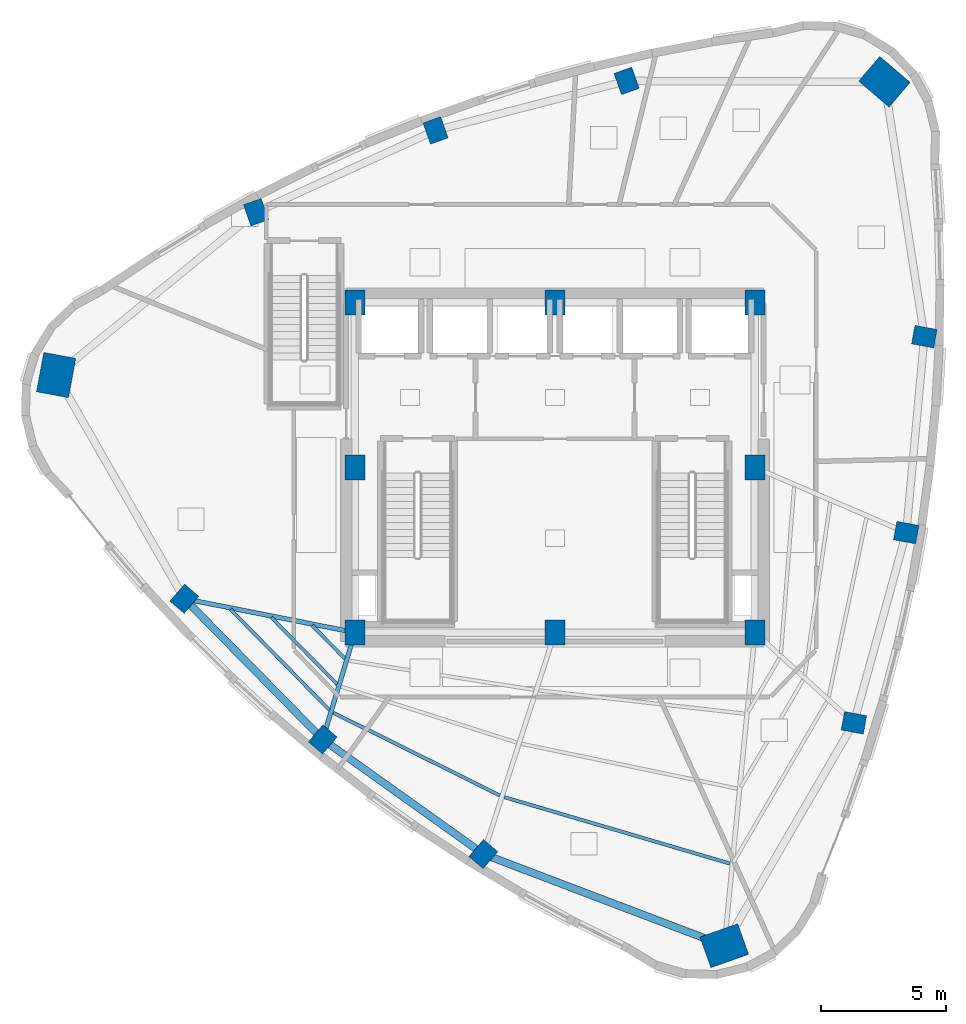
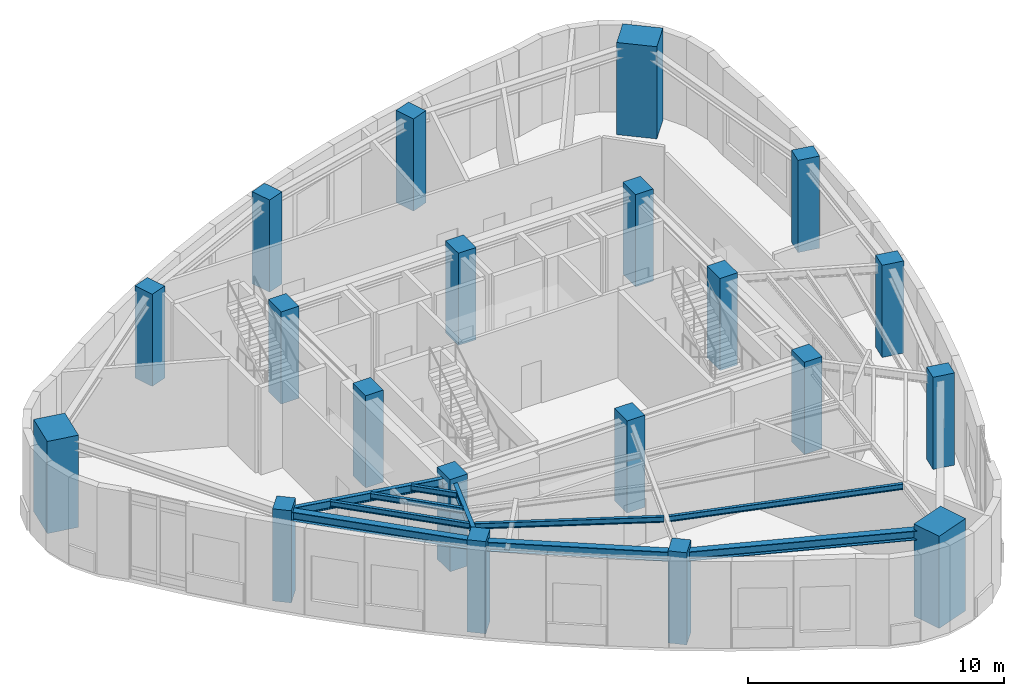
# One storey, part 1 of 13: 20 columns, 10 beams.
"""IFC4 building model written with IfcOpenShell, lengths in metres."""

from ifc_helpers import new_model, si_unit, direction, frame, origin, origin_2d, place, context, subcontext, project, spatial, rectangle, i_section, extrude, material, material_profile, profile_set, type_object, element, save


model = new_model("IFC4")

# Units and contexts
model_context = context("Model", 3, precision=1e-05, world=origin(), true_north=direction((0.0, 1.0)))
body_context = subcontext(model_context, "Body", "Model", "MODEL_VIEW")
ifc_project = project(units=[si_unit("LENGTHUNIT", "METRE"), si_unit("AREAUNIT", "SQUARE_METRE"), si_unit("VOLUMEUNIT", "CUBIC_METRE"), si_unit("PLANEANGLEUNIT", "RADIAN"), si_unit("MASSUNIT", "GRAM", prefix="KILO")], contexts=[model_context])

# Site, building, storey
site_placement = place(None, origin())
site = spatial("IfcSite", under=ifc_project, at=site_placement, CompositionType="ELEMENT")
building_placement = place(site_placement, origin())
building = spatial("IfcBuilding", under=site, at=building_placement, Name="Ndelora Gate Hotel", CompositionType="ELEMENT")
storey_placement = place(building_placement, frame((0.0, 0.0, 272.800048828125)))
storey = spatial("IfcBuildingStorey", under=building, at=storey_placement, Name="L68", CompositionType="ELEMENT", Elevation=272.800048828125)

# Columns
ifc_material_1 = material(Name="Concrete C50/60", Category="concrete")
ifc_material_profile_1 = material_profile(ifc_material_1, rectangle(XDim=0.800048828125, YDim=1.0, at=origin_2d()), Name="RC 1000x800")
ifc_profile_set_1 = profile_set([ifc_material_profile_1], Name="Concrete C50/60")
column_type_1 = type_object("IfcColumnType", Name="COL-CC-HI", PredefinedType="COLUMN", material=ifc_profile_set_1)
for number, where, z_axis, x_axis, name in (
    (1, (-8.0, -6.60009765625, 0.0), (0.0, 0.0, 1.0), (1.0, 0.0, 0.0), "L68 Core Column CC1"),
    (2, (0.0, -6.60009765625, 0.0), (0.0, 0.0, 1.0), (1.0, 0.0, 0.0), "L68 Core Column CC2"),
    (3, (8.0, -6.60009765625, 0.0), (0.0, 0.0, 1.0), (1.0, 0.0, 0.0), "L68 Core Column CC3"),
    (4, (8.0, 0.0, 0.0), (0.0, 0.0, 1.0), (1.0, 0.0, 0.0), "L68 Core Column CC4"),
    (5, (8.0, 6.60009765625, 0.0), (0.0, 0.0, 1.0), (1.0, 0.0, 0.0), "L68 Core Column CC5"),
    (6, (0.0, 6.60009765625, 0.0), (0.0, 0.0, 1.0), (1.0, 0.0, 0.0), "L68 Core Column CC6"),
    (7, (-8.0, 6.60009765625, 0.0), (0.0, 0.0, 1.0), (1.0, 0.0, 0.0), "L68 Core Column CC7"),
    (8, (-8.0, 0.0, 0.0), (0.0, 0.0, 1.0), (1.0, 0.0, 0.0), "L68 Core Column CC8"),
):
    element("IfcColumn", number, at=place(storey_placement, frame(where, z_axis=z_axis, x_axis=x_axis)), inside=storey, type_object=column_type_1, Name=name, PredefinedType="COLUMN", context=body_context, shape_type="SweptSolid", body=[
        extrude(rectangle(XDim=0.800048828125, YDim=1.0, at=origin_2d()), origin(), (0.0, 0.0, 1.0), 4.39990234375),
    ])
ifc_material_profile_2 = material_profile(ifc_material_1, rectangle(XDim=1.300048828125, YDim=1.60009765625, at=origin_2d()), Name="RC 1600x1300")
ifc_profile_set_2 = profile_set([ifc_material_profile_2], Name="Concrete C50/60")
column_type_2 = type_object("IfcColumnType", Name="COL-MC-Z4", PredefinedType="COLUMN", material=ifc_profile_set_2)
for number, where, z_axis, x_axis, name in (
    (9, (-19.949951171875, 3.697509765625, 0.0), (0.0, 0.0, 1.0), (-0.983254907564, 0.182235525492, 0.0), "L68 Corner Mega-Column R1"),
    (10, (6.772705078125, -19.1259765625, 0.0), (0.0, 0.0, 1.0), (-0.333806859234, 0.942641491092, 0.0), "L68 Corner Mega-Column R5"),
    (11, (13.177001953125, 15.428466796875, 0.0), (0.0, 0.0, 1.0), (0.64944804833, 0.7604059656, 0.0), "L68 Corner Mega-Column R9"),
):
    element("IfcColumn", number, at=place(storey_placement, frame(where, z_axis=z_axis, x_axis=x_axis)), inside=storey, type_object=column_type_2, Name=name, PredefinedType="COLUMN", context=body_context, shape_type="SweptSolid", body=[
        extrude(rectangle(XDim=1.300048828125, YDim=1.60009765625, at=origin_2d()), origin(), (0.0, 0.0, 1.0), 4.39990234375),
    ])
ifc_material_profile_3 = material_profile(ifc_material_1, rectangle(XDim=0.75, YDim=0.89990234375, at=origin_2d()), Name="RC 900x750")
ifc_profile_set_3 = profile_set([ifc_material_profile_3], Name="Concrete C50/60")
column_type_3 = type_object("IfcColumnType", Name="COL-PT-Z4", PredefinedType="COLUMN", material=ifc_profile_set_3)
for number, where, z_axis, x_axis, name in (
    (12, (-14.822509765625, -5.248779296875, 0.0), (0.0, 0.0, 1.0), (-0.7604059656, 0.64944804833, 0.0), "L68 Perimeter Tube Column R2"),
    (13, (-9.2890625, -10.876220703125, 0.0), (0.0, 0.0, 1.0), (-0.7604059656, 0.64944804833, 0.0), "L68 Perimeter Tube Column R3"),
    (14, (-2.865478515625, -15.461181640625, 0.0), (0.0, 0.0, 1.0), (-0.7604059656, 0.64944804833, 0.0), "L68 Perimeter Tube Column R4"),
    (15, (11.956787109375, -10.212158203125, 0.0), (0.0, 0.0, 1.0), (0.182235525492, 0.983254907564, 0.0), "L68 Perimeter Tube Column R6"),
    (16, (14.0498046875, -2.60400390625, 0.0), (0.0, 0.0, 1.0), (0.182235525492, 0.983254907564, 0.0), "L68 Perimeter Tube Column R7"),
    (17, (14.77490234375, 5.232177734375, 0.0), (0.0, 0.0, 1.0), (0.182235525492, 0.983254907564, 0.0), "L68 Perimeter Tube Column R8"),
    (18, (2.865478515625, 15.461181640625, 0.0), (0.0, 0.0, 1.0), (0.942641491092, 0.333806859234, 0.0), "L68 Perimeter Tube Column R10"),
    (19, (-4.7744140625, 13.482666015625, 0.0), (0.0, 0.0, 1.0), (0.942641491092, 0.333806859234, 0.0), "L68 Perimeter Tube Column R11"),
    (20, (-11.956787109375, 10.212158203125, 0.0), (0.0, 0.0, 1.0), (0.942641491092, 0.333806859234, 0.0), "L68 Perimeter Tube Column R12"),
):
    element("IfcColumn", number, at=place(storey_placement, frame(where, z_axis=z_axis, x_axis=x_axis)), inside=storey, type_object=column_type_3, Name=name, PredefinedType="COLUMN", context=body_context, shape_type="SweptSolid", body=[
        extrude(rectangle(XDim=0.75, YDim=0.89990234375, at=origin_2d()), origin(), (0.0, 0.0, 1.0), 4.39990234375),
    ])

# Beams
ifc_material_2 = material(Name="Steel S355", Category="steel")
ifc_material_profile_4 = material_profile(ifc_material_2, i_section(OverallWidth=0.135009765625, OverallDepth=0.27001953125, WebThickness=0.006591796875, FlangeThickness=0.01025390625, FilletRadius=0.014892578125, at=origin_2d()), Name="IPE 270")
ifc_profile_set_4 = profile_set([ifc_material_profile_4], Name="Steel S355")
beam_type_1 = type_object("IfcBeamType", Name="BM-JST-270", PredefinedType="JOIST", material=ifc_profile_set_4)
beam_1_placement = place(storey_placement, frame((-9.70361328125, -6.320068359375, 4.014892578125), z_axis=(0.701148889104, -0.713014891365, 0.0), x_axis=(0.713014891365, 0.701148889104, 0.0)))
element("IfcBeam", 21, at=beam_1_placement, inside=storey, type_object=beam_type_1, Name="L68 Secondary Composite Floor Joist IN-2", PredefinedType="JOIST", context=body_context, shape_type="SweptSolid", body=[
    extrude(i_section(OverallWidth=0.135009765625, OverallDepth=0.27001953125, WebThickness=0.006591796875, FlangeThickness=0.01025390625, FilletRadius=0.014892578125, at=origin_2d()), origin(), (0.0, 0.0, 1.0), 1.851806640625),
])
beam_2_placement = place(storey_placement, frame((-11.341064453125, -5.995849609375, 4.014892578125), z_axis=(0.701150996754, -0.713012818785, 0.0), x_axis=(0.713012818785, 0.701150996754, 0.0)))
element("IfcBeam", 22, at=beam_2_placement, inside=storey, type_object=beam_type_1, Name="L68 Secondary Composite Floor Joist MID-2", PredefinedType="JOIST", context=body_context, shape_type="SweptSolid", body=[
    extrude(i_section(OverallWidth=0.135009765625, OverallDepth=0.27001953125, WebThickness=0.006591796875, FlangeThickness=0.01025390625, FilletRadius=0.014892578125, at=origin_2d()), origin(), (0.0, 0.0, 1.0), 3.745849609375),
])
beam_3_placement = place(storey_placement, frame((-12.978515625, -5.67138671875, 4.014892578125), z_axis=(0.701130048955, -0.713033417486, 0.0), x_axis=(0.713033417486, 0.701130048955, 0.0)))
element("IfcBeam", 23, at=beam_3_placement, inside=storey, type_object=beam_type_1, Name="L68 Secondary Composite Floor Joist OUT-2", PredefinedType="JOIST", context=body_context, shape_type="SweptSolid", body=[
    extrude(i_section(OverallWidth=0.135009765625, OverallDepth=0.27001953125, WebThickness=0.006591796875, FlangeThickness=0.01025390625, FilletRadius=0.014892578125, at=origin_2d()), origin(), (0.0, 0.0, 1.0), 5.640380859375),
])
beam_4_placement = place(storey_placement, frame((-8.864501953125, -9.808837890625, 4.014892578125), z_axis=(0.895678939113, -0.444701290788, 0.0), x_axis=(0.444701290788, 0.895678939113, 0.0)))
element("IfcBeam", 24, at=beam_4_placement, inside=storey, type_object=beam_type_1, Name="L68 Secondary Composite Floor Joist OUT-3", PredefinedType="JOIST", context=body_context, shape_type="SweptSolid", body=[
    extrude(i_section(OverallWidth=0.135009765625, OverallDepth=0.27001953125, WebThickness=0.006591796875, FlangeThickness=0.01025390625, FilletRadius=0.014892578125, at=origin_2d()), origin(), (0.0, 0.0, 1.0), 7.4296875),
])
beam_5_placement = place(storey_placement, frame((-2.0244140625, -13.185546875, 4.014892578125), z_axis=(0.959300565601, -0.282387012517, 0.0), x_axis=(0.282387012517, 0.959300565601, 0.0)))
element("IfcBeam", 25, at=beam_5_placement, inside=storey, type_object=beam_type_1, Name="L68 Secondary Composite Floor Joist OUT-4", PredefinedType="JOIST", context=body_context, shape_type="SweptSolid", body=[
    extrude(i_section(OverallWidth=0.135009765625, OverallDepth=0.27001953125, WebThickness=0.006591796875, FlangeThickness=0.01025390625, FilletRadius=0.014892578125, at=origin_2d()), origin(), (0.0, 0.0, 1.0), 9.403076171875),
])
ifc_material_profile_5 = material_profile(ifc_material_2, i_section(OverallWidth=0.179931640625, OverallDepth=0.39990234375, WebThickness=0.008544921875, FlangeThickness=0.013427734375, FilletRadius=0.02099609375, at=origin_2d()), Name="IPE 400")
ifc_profile_set_5 = profile_set([ifc_material_profile_5], Name="Steel S355")
beam_type_2 = type_object("IfcBeamType", Name="BM-RAD-400", PredefinedType="BEAM", material=ifc_profile_set_5)
beam_6_placement = place(storey_placement, frame((-8.0, -6.60009765625, 3.949951171875), z_axis=(-0.980943509294, 0.194293158846, 0.0), x_axis=(-0.194293158846, -0.980943509294, 0.0)))
element("IfcBeam", 26, at=beam_6_placement, inside=storey, type_object=beam_type_2, Name="L68 Radial Floor Girder 2", PredefinedType="BEAM", context=body_context, shape_type="SweptSolid", body=[
    extrude(i_section(OverallWidth=0.179931640625, OverallDepth=0.39990234375, WebThickness=0.008544921875, FlangeThickness=0.013427734375, FilletRadius=0.02099609375, at=origin_2d()), origin(), (0.0, 0.0, 1.0), 6.955078125),
])
beam_7_placement = place(storey_placement, frame((-8.0, -6.60009765625, 3.949951171875), z_axis=(-0.288626468578, -0.957441779763, 0.0), x_axis=(0.957441779763, -0.288626468578, 0.0)))
element("IfcBeam", 27, at=beam_7_placement, inside=storey, type_object=beam_type_2, Name="L68 Radial Floor Girder 3", PredefinedType="BEAM", context=body_context, shape_type="SweptSolid", body=[
    extrude(i_section(OverallWidth=0.179931640625, OverallDepth=0.39990234375, WebThickness=0.008544921875, FlangeThickness=0.013427734375, FilletRadius=0.02099609375, at=origin_2d()), origin(), (0.0, 0.0, 1.0), 4.46630859375),
])
ifc_material_profile_6 = material_profile(ifc_material_2, i_section(OverallWidth=0.300048828125, OverallDepth=0.449951171875, WebThickness=0.013916015625, FlangeThickness=0.02587890625, FilletRadius=0.027099609375, at=origin_2d()), Name="HEB 450")
ifc_profile_set_6 = profile_set([ifc_material_profile_6], Name="Steel S355")
beam_type_3 = type_object("IfcBeamType", Name="BM-RING-450", PredefinedType="SPANDREL", material=ifc_profile_set_6)
beam_8_placement = place(storey_placement, frame((-14.822509765625, -5.248779296875, 3.925048828125), z_axis=(0.701126845775, -0.713036567179, 0.0), x_axis=(0.713036567179, 0.701126845775, 0.0)))
element("IfcBeam", 28, at=beam_8_placement, inside=storey, type_object=beam_type_3, Name="L68 Perimeter Spandrel Girder 2", PredefinedType="SPANDREL", context=body_context, shape_type="SweptSolid", body=[
    extrude(i_section(OverallWidth=0.300048828125, OverallDepth=0.449951171875, WebThickness=0.013916015625, FlangeThickness=0.02587890625, FilletRadius=0.027099609375, at=origin_2d()), origin(), (0.0, 0.0, 1.0), 7.892333984375),
])
beam_9_placement = place(storey_placement, frame((-9.2890625, -10.876220703125, 3.925048828125), z_axis=(0.813931993272, -0.580960162428, 0.0), x_axis=(0.580960162428, 0.813931993272, 0.0)))
element("IfcBeam", 29, at=beam_9_placement, inside=storey, type_object=beam_type_3, Name="L68 Perimeter Spandrel Girder 3", PredefinedType="SPANDREL", context=body_context, shape_type="SweptSolid", body=[
    extrude(i_section(OverallWidth=0.300048828125, OverallDepth=0.449951171875, WebThickness=0.013916015625, FlangeThickness=0.02587890625, FilletRadius=0.027099609375, at=origin_2d()), origin(), (0.0, 0.0, 1.0), 7.89208984375),
])
beam_10_placement = place(storey_placement, frame((-2.865478515625, -15.461181640625, 3.925048828125), z_axis=(0.934709973152, -0.355411403997, 0.0), x_axis=(0.355411403997, 0.934709973152, 0.0)))
element("IfcBeam", 30, at=beam_10_placement, inside=storey, type_object=beam_type_3, Name="L68 Perimeter Spandrel Girder 4", PredefinedType="SPANDREL", context=body_context, shape_type="SweptSolid", body=[
    extrude(i_section(OverallWidth=0.300048828125, OverallDepth=0.449951171875, WebThickness=0.013916015625, FlangeThickness=0.02587890625, FilletRadius=0.027099609375, at=origin_2d()), origin(), (0.0, 0.0, 1.0), 10.3115234375),
])

save(model, "model.ifc")
